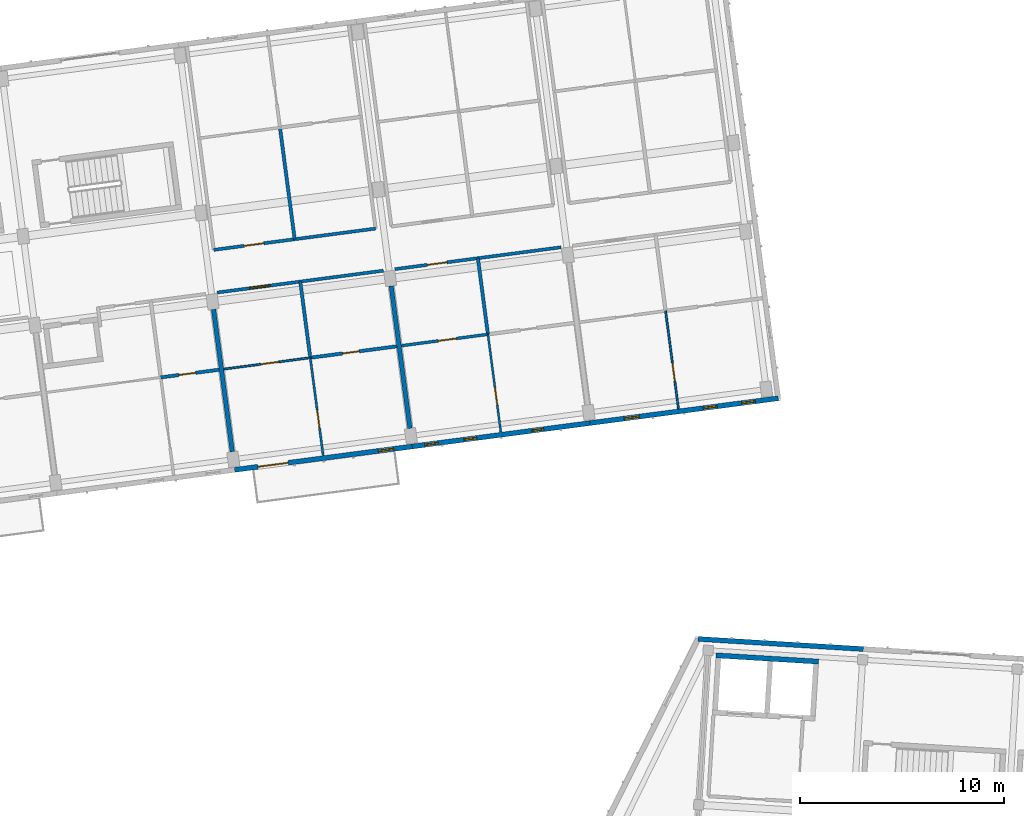
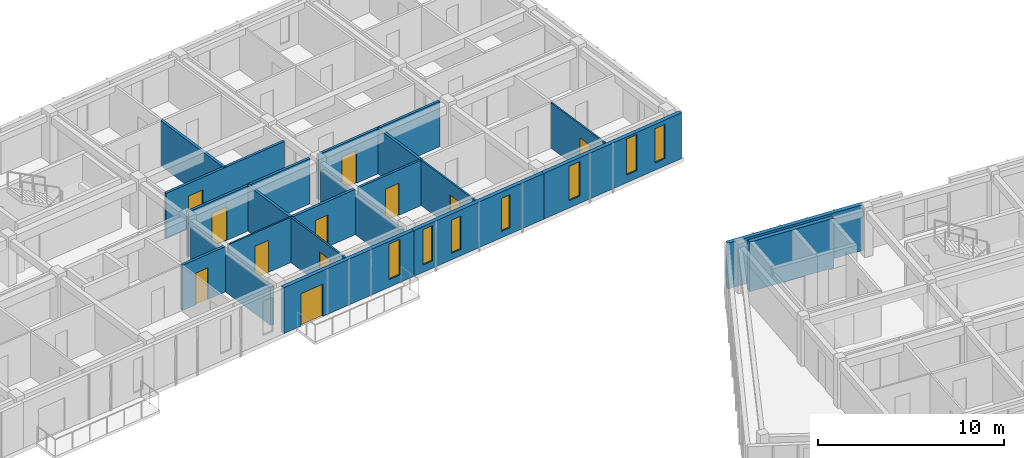
# One storey, part 23 of 68: 20 walls, 11 doors, 7 windows, 18 openings.
"""IFC4 building model written with IfcOpenShell, lengths in metres."""

from ifc_helpers import new_model, si_unit, direction, frame, frame_2d, origin, place, context, subcontext, project, spatial, rectangle, extrude, material, layer, layer_set, type_object, element, fill, save


model = new_model("IFC4")

# Units and contexts
model_context = context("Model", 3, precision=1e-05, world=origin(), true_north=direction((0.0, 1.0)))
body_context = subcontext(model_context, "Body", "Model", "MODEL_VIEW")
ifc_project = project(units=[si_unit("LENGTHUNIT", "METRE"), si_unit("AREAUNIT", "SQUARE_METRE"), si_unit("VOLUMEUNIT", "CUBIC_METRE"), si_unit("PLANEANGLEUNIT", "RADIAN"), si_unit("MASSUNIT", "GRAM", prefix="KILO")], contexts=[model_context])

# Site, building, storey
site_placement = place(None, origin())
site = spatial("IfcSite", under=ifc_project, at=site_placement, CompositionType="ELEMENT")
building_placement = place(site_placement, origin())
building = spatial("IfcBuilding", under=site, at=building_placement, Name="Kestramere Prow Commons", CompositionType="ELEMENT")
storey_placement = place(building_placement, frame((0.0, 0.0, 18.14990234375)))
storey = spatial("IfcBuildingStorey", under=building, at=storey_placement, Name="L05", CompositionType="ELEMENT", Elevation=18.14990234375)

# Wall, openings, door, window
ifc_material_1 = material(Name="Fluoropolymer Standing-Seam Zinc-Aluminium Cladding", Category="aluminium")
ifc_layer_1 = layer(ifc_material_1, 0.239990234375)
ifc_layer_set_1 = layer_set([ifc_layer_1], Name="Fluoropolymer Standing-Seam Zinc-Aluminium Cladding")
wall_type_1 = type_object("IfcWallType", Name="EW-SEAM-240", PredefinedType="SOLIDWALL", material=ifc_layer_set_1)
wall_1_placement = place(storey_placement, frame((46.16748046875, 76.073974609375, 0.0), z_axis=(0.0, 0.0, 1.0), x_axis=(-0.991444377792, -0.130529865336, 0.0)))
wall_1 = element("IfcWall", 1, at=wall_1_placement, inside=storey, type_object=wall_type_1, Name="Block A L05 South Standing-Seam Wall 4", PredefinedType="SOLIDWALL", context=body_context, shape_type="SweptSolid", body=[
    extrude(rectangle(XDim=8.800048828125, YDim=0.239990234375, at=frame_2d((4.39990234375, 0.0))), origin(), (0.0, 0.0, 1.0), 3.0),
])
opening_1_placement = place(wall_1_placement, frame((6.14697265625, 0.0, 0.0)))
opening_1 = element("IfcOpeningElement", 2, at=opening_1_placement, cuts=wall_1, Name="Opening GD-BAL-01", PredefinedType="OPENING", context=body_context, shape_type="SweptSolid", body=[
    extrude(rectangle(XDim=1.5, YDim=2.1201171875, at=frame_2d((0.75, 1.06005859375))), frame((0.0, 0.135009765625, 0.0), z_axis=(0.0, -1.0, 0.0), x_axis=(1.0, 0.0, 0.0)), (0.0, 0.0, 1.0), 0.27001953125),
])
opening_2_placement = place(wall_1_placement, frame((0.929931640625, 0.0, 0.5)))
opening_2 = element("IfcOpeningElement", 3, at=opening_2_placement, cuts=wall_1, Name="Opening WN-10", PredefinedType="OPENING", context=body_context, shape_type="SweptSolid", body=[
    extrude(rectangle(XDim=0.760009765625, YDim=2.340087890625, at=frame_2d((0.3798828125, 1.169921875))), frame((0.0, 0.135009765625, 0.0), z_axis=(0.0, -1.0, 0.0), x_axis=(1.0, 0.0, 0.0)), (0.0, 0.0, 1.0), 0.27001953125),
])
ifc_material_2 = material(Name="Thermally-Broken Anodised Aluminium Glazed", Category="aluminium")
door_type_1 = type_object("IfcDoorType", Name="GD-BAL-1500", OperationType="SLIDING_TO_RIGHT", PredefinedType="DOOR", material=ifc_material_2)
door_1_placement = place(opening_1_placement, origin())
door_1 = element("IfcDoor", 4, at=door_1_placement, inside=storey, type_object=door_type_1, Name="Block A L05 Balcony Door 4", OperationType="SLIDING_TO_RIGHT", OverallHeight=2.1201171875, OverallWidth=1.5, PredefinedType="DOOR", context=body_context, shape_type="SweptSolid", body=[
    extrude(rectangle(XDim=1.5, YDim=2.1201171875, at=frame_2d((0.75, 1.06005859375))), frame((0.0, 0.02490234375, 0.0), z_axis=(0.0, -1.0, 0.0), x_axis=(1.0, 0.0, 0.0)), (0.0, 0.0, 1.0), 0.050048828125),
])
fill(opening_1, door_1)
ifc_material_3 = material(Name="Low-E Laminated Double Glazing", Category="glass")
window_type_1 = type_object("IfcWindowType", Name="WN-NAR-760A", PartitioningType="SINGLE_PANEL", PredefinedType="WINDOW", material=ifc_material_3)
window_1_placement = place(opening_2_placement, origin())
window_1 = element("IfcWindow", 5, at=window_1_placement, inside=storey, type_object=window_type_1, Name="WN-A-L05-SR-3", OverallHeight=2.340087890625, OverallWidth=0.760009765625, PartitioningType="SINGLE_PANEL", PredefinedType="WINDOW", context=body_context, shape_type="SweptSolid", body=[
    extrude(rectangle(XDim=0.760009765625, YDim=2.340087890625, at=frame_2d((0.3798828125, 1.169921875))), frame((0.0, 0.030029296875, 0.0), z_axis=(0.0, -1.0, 0.0), x_axis=(1.0, 0.0, 0.0)), (0.0, 0.0, 1.0), 0.06005859375),
])
fill(opening_2, window_1)

# Wall, openings, windows
wall_2_placement = place(storey_placement, frame((54.89208984375, 77.22265625, 0.0), z_axis=(0.0, 0.0, 1.0), x_axis=(-0.991443905089, -0.130533455715, 0.0)))
wall_2 = element("IfcWall", 6, at=wall_2_placement, inside=storey, type_object=wall_type_1, Name="Block A L05 South Standing-Seam Wall 5", PredefinedType="SOLIDWALL", context=body_context, shape_type="SweptSolid", body=[
    extrude(rectangle(XDim=8.7998046875, YDim=0.239990234375, at=frame_2d((4.39990234375, 0.0))), origin(), (0.0, 0.0, 1.0), 3.0),
])
opening_3_placement = place(wall_2_placement, frame((2.293212890625, 0.0, 0.419921875)))
opening_3 = element("IfcOpeningElement", 7, at=opening_3_placement, cuts=wall_2, Name="Opening WN-01", PredefinedType="OPENING", context=body_context, shape_type="SweptSolid", body=[
    extrude(rectangle(XDim=0.580078125, YDim=2.159912109375, at=frame_2d((0.2900390625, 1.080078125))), frame((0.0, 0.135009765625, 0.0), z_axis=(0.0, -1.0, 0.0), x_axis=(1.0, 0.0, 0.0)), (0.0, 0.0, 1.0), 0.27001953125),
])
opening_4_placement = place(wall_2_placement, frame((5.60400390625, 0.0, 0.419921875)))
opening_4 = element("IfcOpeningElement", 8, at=opening_4_placement, cuts=wall_2, Name="Opening WN-04", PredefinedType="OPENING", context=body_context, shape_type="SweptSolid", body=[
    extrude(rectangle(XDim=0.639892578125, YDim=2.179931640625, at=frame_2d((0.31982421875, 1.08984375))), frame((0.0, 0.135009765625, 0.0), z_axis=(0.0, -1.0, 0.0), x_axis=(1.0, 0.0, 0.0)), (0.0, 0.0, 1.0), 0.27001953125),
])
opening_5_placement = place(wall_2_placement, frame((7.530029296875, 0.0, 0.47998046875)))
opening_5 = element("IfcOpeningElement", 9, at=opening_5_placement, cuts=wall_2, Name="Opening WN-05", PredefinedType="OPENING", context=body_context, shape_type="SweptSolid", body=[
    extrude(rectangle(XDim=0.659912109375, YDim=2.320068359375, at=frame_2d((0.330078125, 1.16015625))), frame((0.0, 0.135009765625, 0.0), z_axis=(0.0, -1.0, 0.0), x_axis=(1.0, 0.0, 0.0)), (0.0, 0.0, 1.0), 0.27001953125),
])
window_type_2 = type_object("IfcWindowType", Name="WN-NAR-580A", PartitioningType="SINGLE_PANEL", PredefinedType="WINDOW", material=ifc_material_3)
window_2_placement = place(opening_3_placement, origin())
window_2 = element("IfcWindow", 10, at=window_2_placement, inside=storey, type_object=window_type_2, Name="WN-A-L05-S-4-00", OverallHeight=2.159912109375, OverallWidth=0.580078125, PartitioningType="SINGLE_PANEL", PredefinedType="WINDOW", context=body_context, shape_type="SweptSolid", body=[
    extrude(rectangle(XDim=0.580078125, YDim=2.159912109375, at=frame_2d((0.2900390625, 1.080078125))), frame((0.0, 0.030029296875, 0.0), z_axis=(0.0, -1.0, 0.0), x_axis=(1.0, 0.0, 0.0)), (0.0, 0.0, 1.0), 0.06005859375),
])
fill(opening_3, window_2)
window_type_3 = type_object("IfcWindowType", Name="WN-NAR-640A", PartitioningType="SINGLE_PANEL", PredefinedType="WINDOW", material=ifc_material_3)
window_3_placement = place(opening_4_placement, origin())
window_3 = element("IfcWindow", 11, at=window_3_placement, inside=storey, type_object=window_type_3, Name="WN-A-L05-S-4-10", OverallHeight=2.179931640625, OverallWidth=0.639892578125, PartitioningType="SINGLE_PANEL", PredefinedType="WINDOW", context=body_context, shape_type="SweptSolid", body=[
    extrude(rectangle(XDim=0.639892578125, YDim=2.179931640625, at=frame_2d((0.31982421875, 1.08984375))), frame((0.0, 0.030029296875, 0.0), z_axis=(0.0, -1.0, 0.0), x_axis=(1.0, 0.0, 0.0)), (0.0, 0.0, 1.0), 0.06005859375),
])
fill(opening_4, window_3)
window_type_4 = type_object("IfcWindowType", Name="WN-NAR-660A", PartitioningType="SINGLE_PANEL", PredefinedType="WINDOW", material=ifc_material_3)
window_4_placement = place(opening_5_placement, origin())
window_4 = element("IfcWindow", 12, at=window_4_placement, inside=storey, type_object=window_type_4, Name="WN-A-L05-S-4-11", OverallHeight=2.320068359375, OverallWidth=0.659912109375, PartitioningType="SINGLE_PANEL", PredefinedType="WINDOW", context=body_context, shape_type="SweptSolid", body=[
    extrude(rectangle(XDim=0.659912109375, YDim=2.320068359375, at=frame_2d((0.330078125, 1.16015625))), frame((0.0, 0.030029296875, 0.0), z_axis=(0.0, -1.0, 0.0), x_axis=(1.0, 0.0, 0.0)), (0.0, 0.0, 1.0), 0.06005859375),
])
fill(opening_5, window_4)

wall_3_placement = place(storey_placement, frame((64.13720703125, 78.439697265625, 0.0), z_axis=(0.0, 0.0, 1.0), x_axis=(-0.991446273426, -0.130515466173, 0.0)))
wall_3 = element("IfcWall", 13, at=wall_3_placement, inside=storey, type_object=wall_type_1, Name="Block A L05 South Standing-Seam Wall 6", PredefinedType="SOLIDWALL", context=body_context, shape_type="SweptSolid", body=[
    extrude(rectangle(XDim=9.324951171875, YDim=0.239990234375, at=frame_2d((4.66259765625, 0.0))), origin(), (0.0, 0.0, 1.0), 3.0),
])
opening_6_placement = place(wall_3_placement, frame((1.135009765625, 0.0, 0.47998046875)))
opening_6 = element("IfcOpeningElement", 14, at=opening_6_placement, cuts=wall_3, Name="Opening WN-06", PredefinedType="OPENING", context=body_context, shape_type="SweptSolid", body=[
    extrude(rectangle(XDim=0.679931640625, YDim=2.239990234375, at=frame_2d((0.33984375, 1.1201171875))), frame((0.0, 0.135009765625, 0.0), z_axis=(0.0, -1.0, 0.0), x_axis=(1.0, 0.0, 0.0)), (0.0, 0.0, 1.0), 0.27001953125),
])
opening_7_placement = place(wall_3_placement, frame((3.02099609375, 0.0, 0.5)))
opening_7 = element("IfcOpeningElement", 15, at=opening_7_placement, cuts=wall_3, Name="Opening WN-07", PredefinedType="OPENING", context=body_context, shape_type="SweptSolid", body=[
    extrude(rectangle(XDim=0.699951171875, YDim=2.360107421875, at=frame_2d((0.35009765625, 1.18017578125))), frame((0.0, 0.135009765625, 0.0), z_axis=(0.0, -1.0, 0.0), x_axis=(1.0, 0.0, 0.0)), (0.0, 0.0, 1.0), 0.27001953125),
])
opening_8_placement = place(wall_3_placement, frame((6.894775390625, 0.0, 0.47998046875)))
opening_8 = element("IfcOpeningElement", 16, at=opening_8_placement, cuts=wall_3, Name="Opening WN-09", PredefinedType="OPENING", context=body_context, shape_type="SweptSolid", body=[
    extrude(rectangle(XDim=0.739990234375, YDim=2.260009765625, at=frame_2d((0.3701171875, 1.1298828125))), frame((0.0, 0.135009765625, 0.0), z_axis=(0.0, -1.0, 0.0), x_axis=(1.0, 0.0, 0.0)), (0.0, 0.0, 1.0), 0.27001953125),
])
window_type_5 = type_object("IfcWindowType", Name="WN-NAR-680A", PartitioningType="SINGLE_PANEL", PredefinedType="WINDOW", material=ifc_material_3)
window_5_placement = place(opening_6_placement, origin())
window_5 = element("IfcWindow", 17, at=window_5_placement, inside=storey, type_object=window_type_5, Name="WN-A-L05-S-5-00", OverallHeight=2.239990234375, OverallWidth=0.679931640625, PartitioningType="SINGLE_PANEL", PredefinedType="WINDOW", context=body_context, shape_type="SweptSolid", body=[
    extrude(rectangle(XDim=0.679931640625, YDim=2.239990234375, at=frame_2d((0.33984375, 1.1201171875))), frame((0.0, 0.030029296875, 0.0), z_axis=(0.0, -1.0, 0.0), x_axis=(1.0, 0.0, 0.0)), (0.0, 0.0, 1.0), 0.06005859375),
])
fill(opening_6, window_5)
window_type_6 = type_object("IfcWindowType", Name="WN-NAR-700A", PartitioningType="SINGLE_PANEL", PredefinedType="WINDOW", material=ifc_material_3)
window_6_placement = place(opening_7_placement, origin())
window_6 = element("IfcWindow", 18, at=window_6_placement, inside=storey, type_object=window_type_6, Name="WN-A-L05-S-5-01", OverallHeight=2.360107421875, OverallWidth=0.699951171875, PartitioningType="SINGLE_PANEL", PredefinedType="WINDOW", context=body_context, shape_type="SweptSolid", body=[
    extrude(rectangle(XDim=0.699951171875, YDim=2.360107421875, at=frame_2d((0.35009765625, 1.18017578125))), frame((0.0, 0.030029296875, 0.0), z_axis=(0.0, -1.0, 0.0), x_axis=(1.0, 0.0, 0.0)), (0.0, 0.0, 1.0), 0.06005859375),
])
fill(opening_7, window_6)
window_type_7 = type_object("IfcWindowType", Name="WN-NAR-740A", PartitioningType="SINGLE_PANEL", PredefinedType="WINDOW", material=ifc_material_3)
window_7_placement = place(opening_8_placement, origin())
window_7 = element("IfcWindow", 19, at=window_7_placement, inside=storey, type_object=window_type_7, Name="WN-A-L05-S-5-10", OverallHeight=2.260009765625, OverallWidth=0.739990234375, PartitioningType="SINGLE_PANEL", PredefinedType="WINDOW", context=body_context, shape_type="SweptSolid", body=[
    extrude(rectangle(XDim=0.739990234375, YDim=2.260009765625, at=frame_2d((0.3701171875, 1.1298828125))), frame((0.0, 0.030029296875, 0.0), z_axis=(0.0, -1.0, 0.0), x_axis=(1.0, 0.0, 0.0)), (0.0, 0.0, 1.0), 0.06005859375),
])
fill(opening_8, window_7)

# Walls
wall_4_placement = place(storey_placement, frame((60.20458984375, 66.61962890625, 0.0), z_axis=(0.0, 0.0, 1.0), x_axis=(0.998134248939, -0.061057522844, 0.0)))
element("IfcWall", 20, at=wall_4_placement, inside=storey, type_object=wall_type_1, Name="Block C L05 North Standing-Seam Wall 1", PredefinedType="SOLIDWALL", context=body_context, shape_type="SweptSolid", body=[
    extrude(rectangle(XDim=8.125, YDim=0.239990234375, at=frame_2d((4.0625, 0.0))), origin(), (0.0, 0.0, 1.0), 3.0),
])
ifc_material_4 = material(Name="Concrete C40/50", Category="concrete")
ifc_layer_2 = layer(ifc_material_4, 0.25)
ifc_layer_set_2 = layer_set([ifc_layer_2], Name="Concrete C40/50")
wall_type_2 = type_object("IfcWallType", Name="W-CORE-250", PredefinedType="SHEAR", material=ifc_layer_set_2)
wall_5_placement = place(storey_placement, frame((61.08203125, 65.814453125, 0.0), z_axis=(0.0, 0.0, 1.0), x_axis=(0.998134101522, -0.061059932685, 0.0)))
element("IfcWall", 21, at=wall_5_placement, inside=storey, type_object=wall_type_2, Name="Block C L05 Lift Core Back Wall", PredefinedType="SHEAR", context=body_context, shape_type="SweptSolid", body=[
    extrude(rectangle(XDim=5.050048828125, YDim=0.25, at=frame_2d((2.52490234375, 0.0))), origin(), (0.0, 0.0, 1.0), 3.25),
])

# Wall, opening, door
ifc_material_5 = material(Name="Fire-Rated Calcium Silicate Wall")
ifc_layer_3 = layer(ifc_material_5, 0.155029296875)
ifc_layer_set_3 = layer_set([ifc_layer_3], Name="Fire-Rated Calcium Silicate Wall")
wall_type_3 = type_object("IfcWallType", Name="W-FIRE-150", PredefinedType="PARTITIONING", material=ifc_layer_set_3)
wall_6_placement = place(storey_placement, frame((36.583740234375, 83.6328125, 0.0), z_axis=(0.0, 0.0, 1.0), x_axis=(0.991445206002, 0.130523574484, 0.0)))
wall_6 = element("IfcWall", 22, at=wall_6_placement, inside=storey, type_object=wall_type_3, Name="Interior Partition PW-A-L05-CS-3", PredefinedType="PARTITIONING", context=body_context, shape_type="SweptSolid", body=[
    extrude(rectangle(XDim=8.22998046875, YDim=0.155029296875, at=frame_2d((4.114990234375, 0.0))), origin(), (0.0, 0.0, 1.0), 2.97021484375),
])
opening_9_placement = place(wall_6_placement, frame((1.60498046875, 0.0, 0.0)))
opening_9 = element("IfcOpeningElement", 23, at=opening_9_placement, cuts=wall_6, Name="Opening ID-05", PredefinedType="OPENING", context=body_context, shape_type="SweptSolid", body=[
    extrude(rectangle(XDim=1.02001953125, YDim=2.199951171875, at=frame_2d((0.510009765625, 1.10009765625))), frame((0.0, 0.092529296875, 0.0), z_axis=(0.0, -1.0, 0.0), x_axis=(1.0, 0.0, 0.0)), (0.0, 0.0, 1.0), 0.18505859375),
])
ifc_material_6 = material(Name="Hardwood Fire-Rated Flat Entrance Door", Category="wood")
door_type_2 = type_object("IfcDoorType", Name="FD-ENT-02", OperationType="NOTDEFINED", PredefinedType="DOOR", material=ifc_material_6)
door_2_placement = place(opening_9_placement, origin())
door_2 = element("IfcDoor", 24, at=door_2_placement, inside=storey, type_object=door_type_2, Name="Interior Door DR-A-L05-ENT-S3", OperationType="SINGLE_SWING_LEFT", OverallHeight=2.199951171875, OverallWidth=1.02001953125, PredefinedType="DOOR", context=body_context, shape_type="SweptSolid", body=[
    extrude(rectangle(XDim=1.02001953125, YDim=2.199951171875, at=frame_2d((0.510009765625, 1.10009765625))), frame((0.0, 0.02490234375, 0.0), z_axis=(0.0, -1.0, 0.0), x_axis=(1.0, 0.0, 0.0)), (0.0, 0.0, 1.0), 0.050048828125),
])
fill(opening_9, door_2)

wall_7_placement = place(storey_placement, frame((45.30859375, 84.781494140625, 0.0), z_axis=(0.0, 0.0, 1.0), x_axis=(0.991444700604, 0.130527413383, 0.0)))
wall_7 = element("IfcWall", 25, at=wall_7_placement, inside=storey, type_object=wall_type_3, Name="Interior Partition PW-A-L05-CS-4", PredefinedType="PARTITIONING", context=body_context, shape_type="SweptSolid", body=[
    extrude(rectangle(XDim=8.229736328125, YDim=0.155029296875, at=frame_2d((4.11474609375, 0.0))), origin(), (0.0, 0.0, 1.0), 2.97021484375),
])
opening_10_placement = place(wall_7_placement, frame((1.60498046875, 0.0, 0.0)))
opening_10 = element("IfcOpeningElement", 26, at=opening_10_placement, cuts=wall_7, Name="Opening ID-04", PredefinedType="OPENING", context=body_context, shape_type="SweptSolid", body=[
    extrude(rectangle(XDim=0.97998046875, YDim=2.14990234375, at=frame_2d((0.489990234375, 1.074951171875))), frame((0.0, 0.092529296875, 0.0), z_axis=(0.0, -1.0, 0.0), x_axis=(1.0, 0.0, 0.0)), (0.0, 0.0, 1.0), 0.18505859375),
])
door_type_3 = type_object("IfcDoorType", Name="FD-ENT-01", OperationType="NOTDEFINED", PredefinedType="DOOR", material=ifc_material_6)
door_3_placement = place(opening_10_placement, origin())
door_3 = element("IfcDoor", 27, at=door_3_placement, inside=storey, type_object=door_type_3, Name="Interior Door DR-A-L05-ENT-S4", OperationType="SINGLE_SWING_RIGHT", OverallHeight=2.14990234375, OverallWidth=0.97998046875, PredefinedType="DOOR", context=body_context, shape_type="SweptSolid", body=[
    extrude(rectangle(XDim=0.97998046875, YDim=2.14990234375, at=frame_2d((0.489990234375, 1.074951171875))), frame((0.0, 0.02490234375, 0.0), z_axis=(0.0, -1.0, 0.0), x_axis=(1.0, 0.0, 0.0)), (0.0, 0.0, 1.0), 0.050048828125),
])
fill(opening_10, door_3)

wall_8_placement = place(storey_placement, frame((36.413818359375, 85.728515625, 0.0), z_axis=(0.0, 0.0, 1.0), x_axis=(0.991444034844, 0.130532470184, 0.0)))
wall_8 = element("IfcWall", 28, at=wall_8_placement, inside=storey, type_object=wall_type_3, Name="Interior Partition PW-A-L05-CN-3", PredefinedType="PARTITIONING", context=body_context, shape_type="SweptSolid", body=[
    extrude(rectangle(XDim=8.02001953125, YDim=0.155029296875, at=frame_2d((4.010009765625, 0.0))), origin(), (0.0, 0.0, 1.0), 2.97021484375),
])
opening_11_placement = place(wall_8_placement, frame((1.5048828125, 0.0, 0.0)))
opening_11 = element("IfcOpeningElement", 29, at=opening_11_placement, cuts=wall_8, Name="Opening ID-04", PredefinedType="OPENING", context=body_context, shape_type="SweptSolid", body=[
    extrude(rectangle(XDim=0.97998046875, YDim=2.14990234375, at=frame_2d((0.489990234375, 1.074951171875))), frame((0.0, 0.092529296875, 0.0), z_axis=(0.0, -1.0, 0.0), x_axis=(1.0, 0.0, 0.0)), (0.0, 0.0, 1.0), 0.18505859375),
])
door_4_placement = place(opening_11_placement, origin())
door_4 = element("IfcDoor", 30, at=door_4_placement, inside=storey, type_object=door_type_3, Name="Interior Door DR-A-L05-ENT-N3", OperationType="SINGLE_SWING_RIGHT", OverallHeight=2.14990234375, OverallWidth=0.97998046875, PredefinedType="DOOR", context=body_context, shape_type="SweptSolid", body=[
    extrude(rectangle(XDim=0.97998046875, YDim=2.14990234375, at=frame_2d((0.489990234375, 1.074951171875))), frame((0.0, 0.02490234375, 0.0), z_axis=(0.0, -1.0, 0.0), x_axis=(1.0, 0.0, 0.0)), (0.0, 0.0, 1.0), 0.050048828125),
])
fill(opening_11, door_4)

ifc_material_7 = material(Name="Gypsum Acoustic Drywall")
ifc_layer_4 = layer(ifc_material_7, 0.10009765625)
ifc_layer_set_4 = layer_set([ifc_layer_4], Name="Gypsum Acoustic Drywall")
wall_type_4 = type_object("IfcWallType", Name="W-PART-100", PredefinedType="PARTITIONING", material=ifc_layer_set_4)
wall_9_placement = place(storey_placement, frame((50.51220703125, 76.7822265625, 0.0), z_axis=(0.0, 0.0, 1.0), x_axis=(-0.130544545786, 0.991442444908, 0.0)))
wall_9 = element("IfcWall", 31, at=wall_9_placement, inside=storey, type_object=wall_type_4, Name="Interior Partition PW-A-L05-LB-S4", PredefinedType="PARTITIONING", context=body_context, shape_type="SweptSolid", body=[
    extrude(rectangle(XDim=4.840087890625, YDim=0.10009765625, at=frame_2d((2.419921875, 0.0))), origin(), (0.0, 0.0, 1.0), 2.97021484375),
])
opening_12_placement = place(wall_9_placement, frame((1.35009765625, 0.0, 0.0)))
opening_12 = element("IfcOpeningElement", 32, at=opening_12_placement, cuts=wall_9, Name="Opening ID-10", PredefinedType="OPENING", context=body_context, shape_type="SweptSolid", body=[
    extrude(rectangle(XDim=0.8798828125, YDim=2.10009765625, at=frame_2d((0.43994140625, 1.050048828125))), frame((0.0, 0.06494140625, 0.0), z_axis=(0.0, -1.0, 0.0), x_axis=(1.0, 0.0, 0.0)), (0.0, 0.0, 1.0), 0.130126953125),
])
ifc_material_8 = material(Name="Engineered Timber Bedroom Door", Category="wood")
door_type_4 = type_object("IfcDoorType", Name="D-RM-03", OperationType="NOTDEFINED", PredefinedType="DOOR", material=ifc_material_8)
door_5_placement = place(opening_12_placement, origin())
door_5 = element("IfcDoor", 33, at=door_5_placement, inside=storey, type_object=door_type_4, Name="Interior Door DR-A-L05-BED-S4", OperationType="SINGLE_SWING_LEFT", OverallHeight=2.10009765625, OverallWidth=0.8798828125, PredefinedType="DOOR", context=body_context, shape_type="SweptSolid", body=[
    extrude(rectangle(XDim=0.8798828125, YDim=2.10009765625, at=frame_2d((0.43994140625, 1.050048828125))), frame((0.0, 0.02490234375, 0.0), z_axis=(0.0, -1.0, 0.0), x_axis=(1.0, 0.0, 0.0)), (0.0, 0.0, 1.0), 0.050048828125),
])
fill(opening_12, door_5)

ifc_layer_5 = layer(ifc_material_7, 0.110107421875)
ifc_layer_set_5 = layer_set([ifc_layer_5], Name="Gypsum Acoustic Drywall")
wall_type_5 = type_object("IfcWallType", Name="W-PART-110", PredefinedType="PARTITIONING", material=ifc_layer_set_5)
wall_10_placement = place(storey_placement, frame((41.787353515625, 75.633544921875, 0.0), z_axis=(0.0, 0.0, 1.0), x_axis=(-0.130494962676, 0.991448972321, 0.0)))
wall_10 = element("IfcWall", 34, at=wall_10_placement, inside=storey, type_object=wall_type_5, Name="Interior Partition PW-A-L05-LB-S3", PredefinedType="PARTITIONING", context=body_context, shape_type="SweptSolid", body=[
    extrude(rectangle(XDim=4.840087890625, YDim=0.110107421875, at=frame_2d((2.419921875, 0.0))), origin(), (0.0, 0.0, 1.0), 2.97021484375),
])
opening_13_placement = place(wall_10_placement, frame((1.35009765625, 0.0, 0.0)))
opening_13 = element("IfcOpeningElement", 35, at=opening_13_placement, cuts=wall_10, Name="Opening ID-08", PredefinedType="OPENING", context=body_context, shape_type="SweptSolid", body=[
    extrude(rectangle(XDim=0.89990234375, YDim=2.10009765625, at=frame_2d((0.449951171875, 1.050048828125))), frame((0.0, 0.070068359375, 0.0), z_axis=(0.0, -1.0, 0.0), x_axis=(1.0, 0.0, 0.0)), (0.0, 0.0, 1.0), 0.14013671875),
])
ifc_material_9 = material(Name="Engineered Timber Flush Door", Category="wood")
door_type_5 = type_object("IfcDoorType", Name="D-RM-01", OperationType="NOTDEFINED", PredefinedType="DOOR", material=ifc_material_9)
door_6_placement = place(opening_13_placement, origin())
door_6 = element("IfcDoor", 36, at=door_6_placement, inside=storey, type_object=door_type_5, Name="Interior Door DR-A-L05-BED-S3", OperationType="SINGLE_SWING_RIGHT", OverallHeight=2.10009765625, OverallWidth=0.89990234375, PredefinedType="DOOR", context=body_context, shape_type="SweptSolid", body=[
    extrude(rectangle(XDim=0.89990234375, YDim=2.10009765625, at=frame_2d((0.449951171875, 1.050048828125))), frame((0.0, 0.02490234375, 0.0), z_axis=(0.0, -1.0, 0.0), x_axis=(1.0, 0.0, 0.0)), (0.0, 0.0, 1.0), 0.050048828125),
])
fill(opening_13, door_6)

ifc_material_10 = material(Name="Masonry Compartment Wall", Category="masonry")
ifc_layer_6 = layer(ifc_material_10, 0.139892578125)
ifc_layer_set_6 = layer_set([ifc_layer_6], Name="Masonry Compartment Wall")
wall_type_6 = type_object("IfcWallType", Name="W-PART-140", PredefinedType="PARTITIONING", material=ifc_layer_set_6)
wall_11_placement = place(storey_placement, frame((45.632080078125, 81.021484375, 0.0), z_axis=(0.0, 0.0, 1.0), x_axis=(0.991444014242, 0.130532626667, 0.0)))
wall_11 = element("IfcWall", 37, at=wall_11_placement, inside=storey, type_object=wall_type_6, Name="Interior Partition PW-A-L05-MIDS1-4", PredefinedType="PARTITIONING", context=body_context, shape_type="SweptSolid", body=[
    extrude(rectangle(XDim=4.284912109375, YDim=0.139892578125, at=frame_2d((2.142578125, 0.0))), origin(), (0.0, 0.0, 1.0), 2.97021484375),
])
opening_14_placement = place(wall_11_placement, frame((1.824951171875, 0.0, 0.0)))
opening_14 = element("IfcOpeningElement", 38, at=opening_14_placement, cuts=wall_11, Name="Opening ID-08", PredefinedType="OPENING", context=body_context, shape_type="SweptSolid", body=[
    extrude(rectangle(XDim=0.89990234375, YDim=2.10009765625, at=frame_2d((0.449951171875, 1.050048828125))), frame((0.0, 0.0849609375, 0.0), z_axis=(0.0, -1.0, 0.0), x_axis=(1.0, 0.0, 0.0)), (0.0, 0.0, 1.0), 0.169921875),
])
door_7_placement = place(opening_14_placement, origin())
door_7 = element("IfcDoor", 39, at=door_7_placement, inside=storey, type_object=door_type_5, Name="Interior Door DR-A-L05-KL-S4", OperationType="SINGLE_SWING_RIGHT", OverallHeight=2.10009765625, OverallWidth=0.89990234375, PredefinedType="DOOR", context=body_context, shape_type="SweptSolid", body=[
    extrude(rectangle(XDim=0.89990234375, YDim=2.10009765625, at=frame_2d((0.449951171875, 1.050048828125))), frame((0.0, 0.02490234375, 0.0), z_axis=(0.0, -1.0, 0.0), x_axis=(1.0, 0.0, 0.0)), (0.0, 0.0, 1.0), 0.050048828125),
])
fill(opening_14, door_7)

ifc_layer_7 = layer(ifc_material_7, 0.094970703125)
ifc_layer_set_7 = layer_set([ifc_layer_7], Name="Gypsum Acoustic Drywall")
wall_type_7 = type_object("IfcWallType", Name="W-PART-95", PredefinedType="PARTITIONING", material=ifc_layer_set_7)
wall_12_placement = place(storey_placement, frame((36.9072265625, 79.872802734375, 0.0), z_axis=(0.0, 0.0, 1.0), x_axis=(0.991444984965, 0.130525253451, 0.0)))
wall_12 = element("IfcWall", 40, at=wall_12_placement, inside=storey, type_object=wall_type_7, Name="Interior Partition PW-A-L05-MIDS1-3", PredefinedType="PARTITIONING", context=body_context, shape_type="SweptSolid", body=[
    extrude(rectangle(XDim=4.28515625, YDim=0.094970703125, at=frame_2d((2.142578125, 0.0))), origin(), (0.0, 0.0, 1.0), 2.97021484375),
])
opening_15_placement = place(wall_12_placement, frame((1.824951171875, 0.0, 0.0)))
opening_15 = element("IfcOpeningElement", 41, at=opening_15_placement, cuts=wall_12, Name="Opening ID-08", PredefinedType="OPENING", context=body_context, shape_type="SweptSolid", body=[
    extrude(rectangle(XDim=0.89990234375, YDim=2.10009765625, at=frame_2d((0.449951171875, 1.050048828125))), frame((0.0, 0.0625, 0.0), z_axis=(0.0, -1.0, 0.0), x_axis=(1.0, 0.0, 0.0)), (0.0, 0.0, 1.0), 0.125),
])
door_8_placement = place(opening_15_placement, origin())
door_8 = element("IfcDoor", 42, at=door_8_placement, inside=storey, type_object=door_type_5, Name="Interior Door DR-A-L05-KL-S3", OperationType="SINGLE_SWING_RIGHT", OverallHeight=2.10009765625, OverallWidth=0.89990234375, PredefinedType="DOOR", context=body_context, shape_type="SweptSolid", body=[
    extrude(rectangle(XDim=0.89990234375, YDim=2.10009765625, at=frame_2d((0.449951171875, 1.050048828125))), frame((0.0, 0.02490234375, 0.0), z_axis=(0.0, -1.0, 0.0), x_axis=(1.0, 0.0, 0.0)), (0.0, 0.0, 1.0), 0.050048828125),
])
fill(opening_15, door_8)

wall_13_placement = place(storey_placement, frame((59.23681640625, 77.930908203125, 0.0), z_axis=(0.0, 0.0, 1.0), x_axis=(-0.130544545786, 0.991442444908, 0.0)))
wall_13 = element("IfcWall", 43, at=wall_13_placement, inside=storey, type_object=wall_type_7, Name="Interior Partition PW-A-L05-LB-S5", PredefinedType="PARTITIONING", context=body_context, shape_type="SweptSolid", body=[
    extrude(rectangle(XDim=4.840087890625, YDim=0.094970703125, at=frame_2d((2.419921875, 0.0))), origin(), (0.0, 0.0, 1.0), 2.97021484375),
])
opening_16_placement = place(wall_13_placement, frame((1.35009765625, 0.0, 0.0)))
opening_16 = element("IfcOpeningElement", 44, at=opening_16_placement, cuts=wall_13, Name="Opening ID-08", PredefinedType="OPENING", context=body_context, shape_type="SweptSolid", body=[
    extrude(rectangle(XDim=0.89990234375, YDim=2.10009765625, at=frame_2d((0.449951171875, 1.050048828125))), frame((0.0, 0.0625, 0.0), z_axis=(0.0, -1.0, 0.0), x_axis=(1.0, 0.0, 0.0)), (0.0, 0.0, 1.0), 0.125),
])
door_9_placement = place(opening_16_placement, origin())
door_9 = element("IfcDoor", 45, at=door_9_placement, inside=storey, type_object=door_type_5, Name="Interior Door DR-A-L05-BED-S5", OperationType="SINGLE_SWING_RIGHT", OverallHeight=2.10009765625, OverallWidth=0.89990234375, PredefinedType="DOOR", context=body_context, shape_type="SweptSolid", body=[
    extrude(rectangle(XDim=0.89990234375, YDim=2.10009765625, at=frame_2d((0.449951171875, 1.050048828125))), frame((0.0, 0.02490234375, 0.0), z_axis=(0.0, -1.0, 0.0), x_axis=(1.0, 0.0, 0.0)), (0.0, 0.0, 1.0), 0.050048828125),
])
fill(opening_16, door_9)

ifc_material_11 = material(Name="Waterproof Sanitary Masonry Wall", Category="masonry")
ifc_layer_8 = layer(ifc_material_11, 0.1650390625)
ifc_layer_set_8 = layer_set([ifc_layer_8], Name="Waterproof Sanitary Masonry Wall")
wall_type_8 = type_object("IfcWallType", Name="W-PLUMB-150", PredefinedType="PLUMBINGWALL", material=ifc_layer_set_8)
wall_14_placement = place(storey_placement, frame((33.81396484375, 79.465576171875, 0.0), z_axis=(0.0, 0.0, 1.0), x_axis=(0.9914456672, 0.130520071219, 0.0)))
wall_14 = element("IfcWall", 46, at=wall_14_placement, inside=storey, type_object=wall_type_8, Name="Interior Partition PW-A-L05-MIDS2-2", PredefinedType="PLUMBINGWALL", context=body_context, shape_type="SweptSolid", body=[
    extrude(rectangle(XDim=2.889892578125, YDim=0.1650390625, at=frame_2d((1.44482421875, 0.0))), origin(), (0.0, 0.0, 1.0), 2.97021484375),
])
opening_17_placement = place(wall_14_placement, frame((0.903076171875, 0.0, 0.0)))
opening_17 = element("IfcOpeningElement", 47, at=opening_17_placement, cuts=wall_14, Name="Opening ID-11", PredefinedType="OPENING", context=body_context, shape_type="SweptSolid", body=[
    extrude(rectangle(XDim=0.820068359375, YDim=2.080078125, at=frame_2d((0.41015625, 1.0400390625))), frame((0.0, 0.097412109375, 0.0), z_axis=(0.0, -1.0, 0.0), x_axis=(1.0, 0.0, 0.0)), (0.0, 0.0, 1.0), 0.195068359375),
])
ifc_material_12 = material(Name="Moisture-Resistant Timber Bathroom Door", Category="wood")
door_type_6 = type_object("IfcDoorType", Name="D-BT-01", OperationType="NOTDEFINED", PredefinedType="DOOR", material=ifc_material_12)
door_10_placement = place(opening_17_placement, origin())
door_10 = element("IfcDoor", 48, at=door_10_placement, inside=storey, type_object=door_type_6, Name="Interior Door DR-A-L05-BTH-S2", OperationType="SINGLE_SWING_LEFT", OverallHeight=2.080078125, OverallWidth=0.820068359375, PredefinedType="DOOR", context=body_context, shape_type="SweptSolid", body=[
    extrude(rectangle(XDim=0.820068359375, YDim=2.080078125, at=frame_2d((0.41015625, 1.0400390625))), frame((0.0, 0.02490234375, 0.0), z_axis=(0.0, -1.0, 0.0), x_axis=(1.0, 0.0, 0.0)), (0.0, 0.0, 1.0), 0.050048828125),
])
fill(opening_17, door_10)

wall_15_placement = place(storey_placement, frame((41.15576171875, 80.43212890625, 0.0), z_axis=(0.0, 0.0, 1.0), x_axis=(0.991444014242, 0.130532626667, 0.0)))
wall_15 = element("IfcWall", 49, at=wall_15_placement, inside=storey, type_object=wall_type_8, Name="Interior Partition PW-A-L05-MIDS2-3", PredefinedType="PLUMBINGWALL", context=body_context, shape_type="SweptSolid", body=[
    extrude(rectangle(XDim=4.284912109375, YDim=0.1650390625, at=frame_2d((2.142578125, 0.0))), origin(), (0.0, 0.0, 1.0), 2.97021484375),
])
opening_18_placement = place(wall_15_placement, frame((1.60009765625, 0.0, 0.0)))
opening_18 = element("IfcOpeningElement", 50, at=opening_18_placement, cuts=wall_15, Name="Opening ID-11", PredefinedType="OPENING", context=body_context, shape_type="SweptSolid", body=[
    extrude(rectangle(XDim=0.820068359375, YDim=2.080078125, at=frame_2d((0.41015625, 1.0400390625))), frame((0.0, 0.097412109375, 0.0), z_axis=(0.0, -1.0, 0.0), x_axis=(1.0, 0.0, 0.0)), (0.0, 0.0, 1.0), 0.195068359375),
])
door_11_placement = place(opening_18_placement, origin())
door_11 = element("IfcDoor", 51, at=door_11_placement, inside=storey, type_object=door_type_6, Name="Interior Door DR-A-L05-BTH-S3", OperationType="SINGLE_SWING_LEFT", OverallHeight=2.080078125, OverallWidth=0.820068359375, PredefinedType="DOOR", context=body_context, shape_type="SweptSolid", body=[
    extrude(rectangle(XDim=0.820068359375, YDim=2.080078125, at=frame_2d((0.41015625, 1.0400390625))), frame((0.0, 0.02490234375, 0.0), z_axis=(0.0, -1.0, 0.0), x_axis=(1.0, 0.0, 0.0)), (0.0, 0.0, 1.0), 0.050048828125),
])
fill(opening_18, door_11)

# Walls
for number, where, z_axis, x_axis, name in (
    (52, (41.15576171875, 80.43212890625, 0.0), (0.0, 0.0, 1.0), (-0.130551670646, 0.991441506742, 0.0), "Interior Partition PW-A-L05-KB-S3"),
    (53, (49.88037109375, 81.580810546875, 0.0), (0.0, 0.0, 1.0), (-0.130551670646, 0.991441506742, 0.0), "Interior Partition PW-A-L05-KB-S4"),
):
    element("IfcWall", number, at=place(storey_placement, frame(where, z_axis=z_axis, x_axis=x_axis)), inside=storey, type_object=wall_type_8, Name=name, PredefinedType="PLUMBINGWALL", context=body_context, shape_type="SweptSolid", body=[
        extrude(rectangle(XDim=3.77001953125, YDim=0.1650390625, at=frame_2d((1.885009765625, 0.0))), origin(), (0.0, 0.0, 1.0), 2.97021484375),
    ])
wall_16_placement = place(storey_placement, frame((40.389404296875, 86.251953125, 0.0), z_axis=(0.0, 0.0, 1.0), x_axis=(-0.130503619975, 0.991447832805, 0.0)))
element("IfcWall", 54, at=wall_16_placement, inside=storey, type_object=wall_type_8, Name="Interior Partition PW-A-L05-KB-N3", PredefinedType="PLUMBINGWALL", context=body_context, shape_type="SweptSolid", body=[
    extrude(rectangle(XDim=5.530029296875, YDim=0.1650390625, at=frame_2d((2.76513671875, 0.0))), origin(), (0.0, 0.0, 1.0), 2.97021484375),
])
ifc_material_13 = material(Name="Precast concrete C40/50", Category="concrete")
ifc_layer_9 = layer(ifc_material_13, 0.219970703125)
ifc_layer_set_9 = layer_set([ifc_layer_9], Name="Precast concrete C40/50")
wall_type_9 = type_object("IfcWallType", Name="W-XWALL-220", PredefinedType="SHEAR", material=ifc_layer_set_9)
for number, where, z_axis, x_axis, name in (
    (55, (37.3251953125, 75.817626953125, 0.0), (0.0, 0.0, 1.0), (-0.130519009654, 0.99144580695, 0.0), "Block A L05 Precast Cross-Wall 3"),
    (56, (46.0498046875, 76.96630859375, 0.0), (0.0, 0.0, 1.0), (-0.130519009654, 0.99144580695, 0.0), "Block A L05 Precast Cross-Wall 4"),
):
    element("IfcWall", number, at=place(storey_placement, frame(where, z_axis=z_axis, x_axis=x_axis)), inside=storey, type_object=wall_type_9, Name=name, PredefinedType="SHEAR", context=body_context, shape_type="SweptSolid", body=[
        extrude(rectangle(XDim=7.050048828125, YDim=0.219970703125, at=frame_2d((3.52490234375, 0.0))), origin(), (0.0, 0.0, 1.0), 2.5),
    ])

save(model, "model.ifc")
